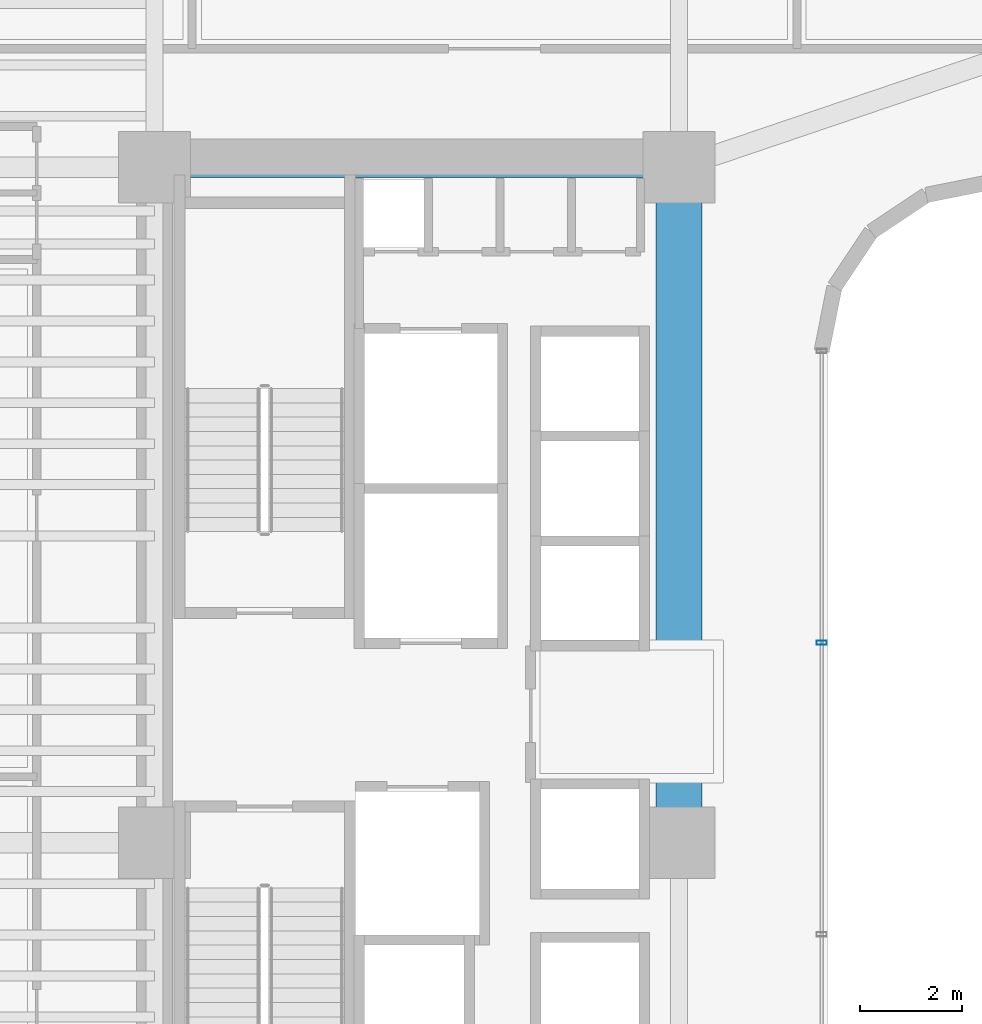
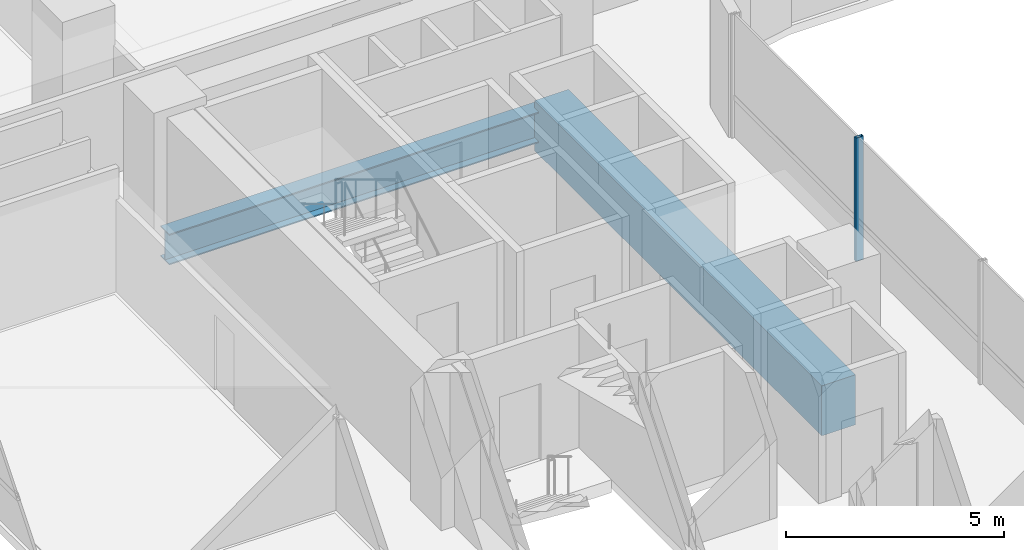
# One storey, part 12 of 40: 2 beams, 1 member, 1 element without a shape of its own.
"""IFC4 building model written with IfcOpenShell, lengths in metres."""

from ifc_helpers import new_model, si_unit, direction, frame, origin, origin_2d, place, context, subcontext, project, spatial, rectangle, hollow_rectangle, i_section, extrude, source, transform, mapped, material, material_profile, profile_set, type_object, element, aggregate, save


model = new_model("IFC4")

# Units and contexts
model_context = context("Model", 3, precision=1e-05, world=origin(), true_north=direction((0.0, 1.0)))
body_context = subcontext(model_context, "Body", "Model", "MODEL_VIEW")
ifc_project = project(units=[si_unit("LENGTHUNIT", "METRE"), si_unit("AREAUNIT", "SQUARE_METRE"), si_unit("VOLUMEUNIT", "CUBIC_METRE"), si_unit("PLANEANGLEUNIT", "RADIAN"), si_unit("MASSUNIT", "GRAM", prefix="KILO")], contexts=[model_context])

# Site, building, storey
site_placement = place(None, origin())
site = spatial("IfcSite", under=ifc_project, at=site_placement, CompositionType="ELEMENT")
building_placement = place(site_placement, origin())
building = spatial("IfcBuilding", under=site, at=building_placement, Name="Valdorenza Pilgrim Sanctuary Tower", CompositionType="ELEMENT")
storey_placement = place(building_placement, frame((0.0, 0.0, 48.199951171875)))
storey = spatial("IfcBuildingStorey", under=building, at=storey_placement, Name="L11", CompositionType="ELEMENT", Elevation=48.199951171875)

# Beams
ifc_material_1 = material(Name="Concrete C60/75", Category="concrete")
ifc_material_profile_1 = material_profile(ifc_material_1, rectangle(XDim=0.89990234375, YDim=1.39990234375, at=origin_2d()), Name="RC 1400x900")
ifc_profile_set_1 = profile_set([ifc_material_profile_1], Name="Concrete C60/75")
beam_type_1 = type_object("IfcBeamType", Name="STR-BM-LNT-1400", PredefinedType="LINTEL", material=ifc_profile_set_1)
shared_shape_1 = source(origin(), body_context, "Body", "SweptSolid", [
    extrude(rectangle(XDim=0.89990234375, YDim=1.39990234375, at=origin_2d()), origin(), (0.0, 0.0, 1.0), 13.2001953125),
])
beam_1_placement = place(storey_placement, frame((-12.39990234375, -2.60009765625, -0.739990234375), z_axis=(0.0, 1.0, 0.0), x_axis=(-1.0, 0.0, 0.0)))
element("IfcBeam", 1, at=beam_1_placement, inside=storey, type_object=beam_type_1, Name="L11 Core A Coupling Lintel Girder", PredefinedType="LINTEL", context=body_context, shape_type="MappedRepresentation", body=[
    mapped(shared_shape_1, transform((0.0, 0.0, 0.0), x_axis=(1.0, 0.0, 0.0), y_axis=(0.0, 1.0, 0.0), z_axis=(0.0, 0.0, 1.0), scale=1.0)),
])
ifc_material_2 = material(Name="Steel ASTM A992 Grade 50", Category="steel")
ifc_material_profile_2 = material_profile(ifc_material_2, i_section(OverallWidth=0.39990234375, OverallDepth=0.862060546875, WebThickness=0.019775390625, FlangeThickness=0.032470703125, at=origin_2d()), Name="W33X221")
ifc_profile_set_2 = profile_set([ifc_material_profile_2], Name="Steel ASTM A992 Grade 50")
beam_type_2 = type_object("IfcBeamType", Name="STR-BM-GRD-W33", PredefinedType="BEAM", material=ifc_profile_set_2)
shared_shape_2 = source(origin(), body_context, "Body", "SweptSolid", [
    extrude(i_section(OverallWidth=0.39990234375, OverallDepth=0.862060546875, WebThickness=0.019775390625, FlangeThickness=0.032470703125, at=origin_2d()), origin(), (0.0, 0.0, 1.0), 10.25),
])
beam_2_placement = place(storey_placement, frame((-22.64990234375, 10.60009765625, -0.6708984375), z_axis=(1.0, 0.0, 0.0), x_axis=(0.0, 1.0, 0.0)))
element("IfcBeam", 2, at=beam_2_placement, inside=storey, type_object=beam_type_2, Name="L11 Floor Girder CA-XC-N1", PredefinedType="BEAM", context=body_context, shape_type="MappedRepresentation", body=[
    mapped(shared_shape_2, transform((0.0, 0.0, 0.0), x_axis=(1.0, 0.0, 0.0), y_axis=(0.0, 1.0, 0.0), z_axis=(0.0, 0.0, 1.0), scale=1.0)),
])

# Curtain wall, member
ifc_material_3 = material(Name="Curtain-wall IGU glazing", Category="glass")
curtain_wall_type = type_object("IfcCurtainWallType", Name="CW-SYS-02", PredefinedType="NOTDEFINED", material=ifc_material_3)
curtain_wall_placement = place(storey_placement, origin())
curtain_wall = element("IfcCurtainWall", 3, at=curtain_wall_placement, inside=storey, type_object=curtain_wall_type, Name="L11 Curtain Wall CW-L11-1-41", PredefinedType="NOTDEFINED")
ifc_material_4 = material(Name="Anodised aluminium AW-6060", Category="aluminium")
ifc_material_profile_3 = material_profile(ifc_material_4, hollow_rectangle(XDim=0.0849609375, YDim=0.199951171875, WallThickness=0.0048828125, at=origin_2d()), Name="ALU-M 200x85x5")
ifc_profile_set_3 = profile_set([ifc_material_profile_3], Name="Anodised aluminium AW-6060")
member_type = type_object("IfcMemberType", Name="CW-MUL-02", PredefinedType="MULLION", material=ifc_profile_set_3)
shared_shape_3 = source(origin(), body_context, "Body", "SweptSolid", [
    extrude(hollow_rectangle(XDim=0.0849609375, YDim=0.199951171875, WallThickness=0.0048828125, at=origin_2d()), origin(), (0.0, 0.0, 1.0), 3.4599609375),
])
member_placement = place(storey_placement, frame((-9.610107421875, 1.310791015625, 0.0), z_axis=(0.0, 0.0, 1.0), x_axis=(0.0, -1.0, 0.0)))
member = element("IfcMember", 4, at=member_placement, type_object=member_type, Name="CW-L11-1-41 Mullion 2", PredefinedType="MULLION", context=body_context, shape_type="MappedRepresentation", body=[
    mapped(shared_shape_3, transform((0.0, 0.0, 0.0), x_axis=(1.0, 0.0, 0.0), y_axis=(0.0, 1.0, 0.0), z_axis=(0.0, 0.0, 1.0), scale=1.0)),
])
aggregate(curtain_wall, [member])

save(model, "model.ifc")
